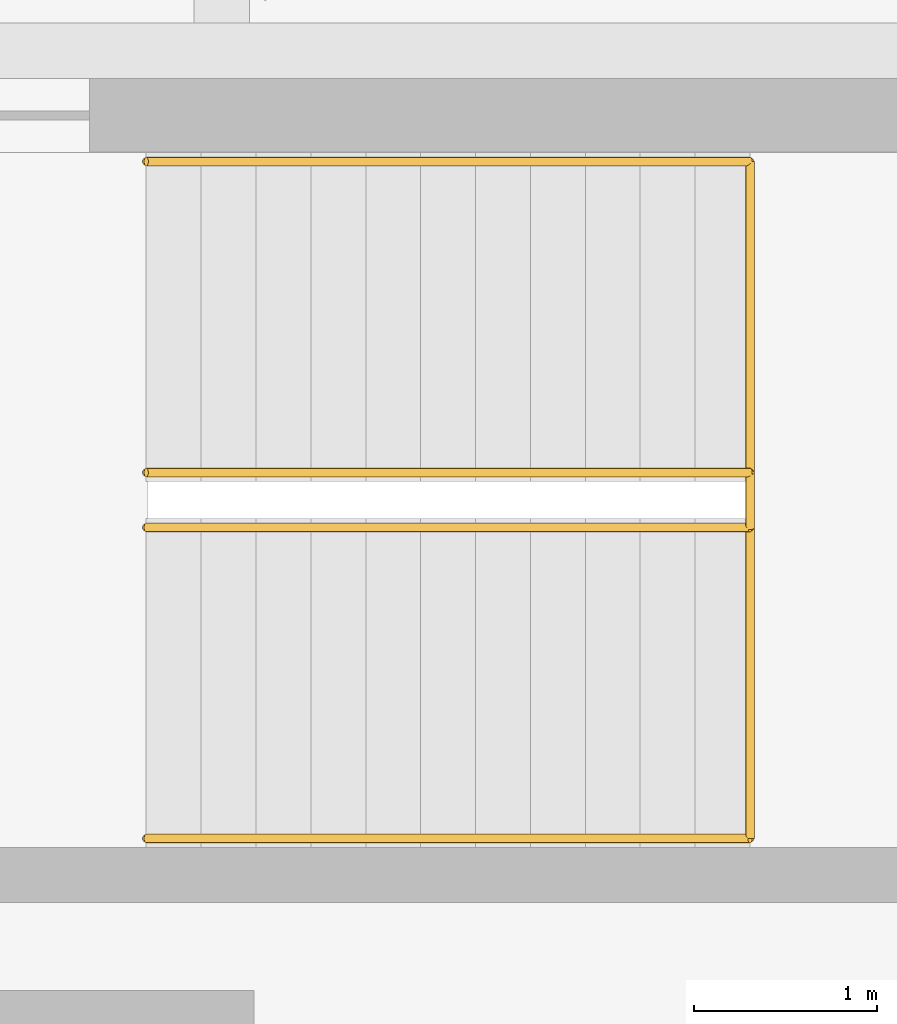
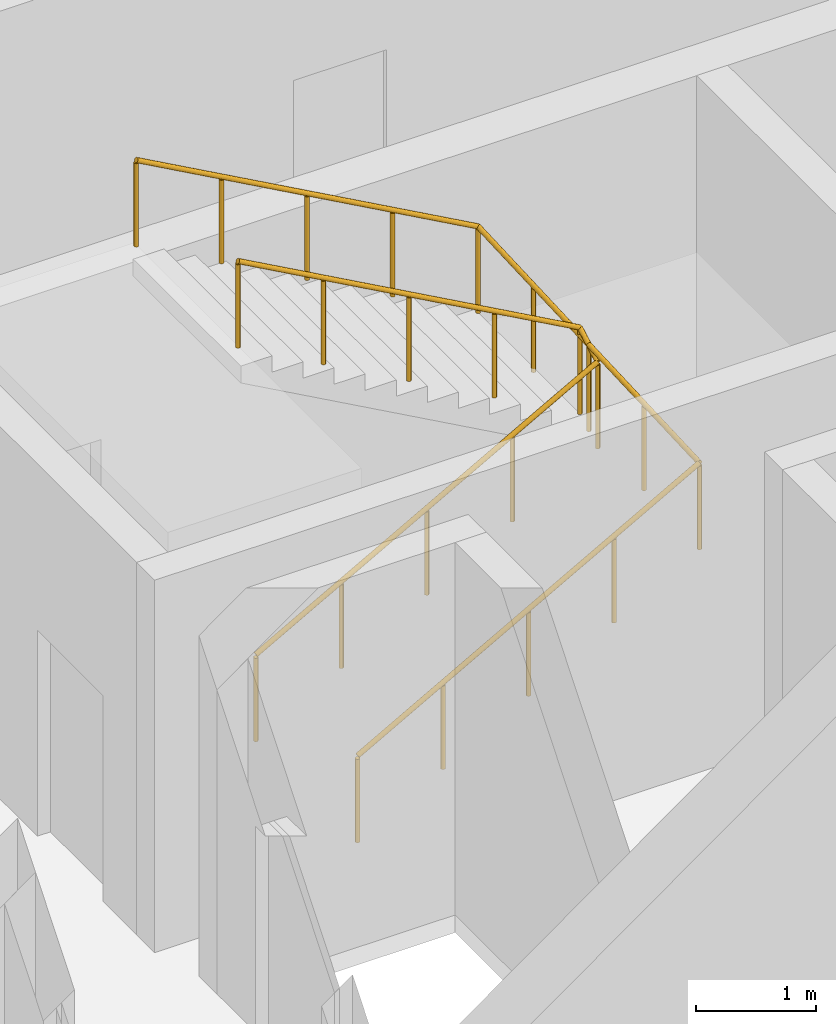
# One storey, part 15 of 16: 2 railings.
"""IFC4 building model written with IfcOpenShell, lengths in metres."""

from ifc_helpers import new_model, si_unit, direction, frame, origin, origin_2d, place, context, subcontext, project, spatial, circle, extrude, source, transform, mapped, material, type_object, element, save


model = new_model("IFC4")

# Units and contexts
model_context = context("Model", 3, precision=1e-05, world=origin(), true_north=direction((0.0, 1.0)))
body_context = subcontext(model_context, "Body", "Model", "MODEL_VIEW")
ifc_project = project(units=[si_unit("LENGTHUNIT", "METRE"), si_unit("AREAUNIT", "SQUARE_METRE"), si_unit("VOLUMEUNIT", "CUBIC_METRE"), si_unit("PLANEANGLEUNIT", "RADIAN"), si_unit("MASSUNIT", "GRAM", prefix="KILO")], contexts=[model_context])

# Site, building, storey
site_placement = place(None, origin())
site = spatial("IfcSite", under=ifc_project, at=site_placement, CompositionType="ELEMENT")
building_placement = place(site_placement, origin())
building = spatial("IfcBuilding", under=site, at=building_placement, Name="Triune Harvest Tower", CompositionType="ELEMENT")
storey_placement = place(building_placement, frame((0.0, 0.0, 292.699951171875)))
storey = spatial("IfcBuildingStorey", under=building, at=storey_placement, Name="L77", CompositionType="ELEMENT", Elevation=292.699951171875)

# Railings
ifc_material = material(Name="Stainless steel AISI 316", Category="steel")
railing_type = type_object("IfcRailingType", Name="Stair handrail", PredefinedType="HANDRAIL", material=ifc_material)
shared_shape_1 = source(origin(), body_context, "Body", "SweptSolid", [
    extrude(circle(Radius=0.02392578125, at=origin_2d()), frame((0.0, 0.0, 0.8759765625), z_axis=(0.874169478083, 0.0, 0.485620966999), x_axis=(0.0, 1.0, 0.0)), (0.0, 0.0, 1.0), 3.775146484375),
    extrude(circle(Radius=0.02392578125, at=origin_2d()), frame((3.300048828125, 0.0, 2.708984375), z_axis=(0.0, 0.998985998549, 0.045021935797), x_axis=(-1.0, 0.0, 0.0)), (0.0, 0.0, 1.0), 3.70361328125),
    extrude(circle(Radius=0.02392578125, at=origin_2d()), frame((3.300048828125, 3.699951171875, 2.8759765625), z_axis=(-0.874169478083, 0.0, 0.485620966999), x_axis=(0.0, -1.0, 0.0)), (0.0, 0.0, 1.0), 3.775146484375),
    extrude(circle(Radius=0.02099609375, at=origin_2d()), origin(), (0.0, 0.0, 1.0), 0.851806640625),
    extrude(circle(Radius=0.02099609375, at=origin_2d()), frame((0.824951171875, 0.0, 0.458251953125)), (0.0, 0.0, 1.0), 0.851806640625),
    extrude(circle(Radius=0.02099609375, at=origin_2d()), frame((1.64990234375, 0.0, 0.91650390625)), (0.0, 0.0, 1.0), 0.851806640625),
    extrude(circle(Radius=0.02099609375, at=origin_2d()), frame((2.47509765625, 0.0, 1.375)), (0.0, 0.0, 1.0), 0.851806640625),
    extrude(circle(Radius=0.02099609375, at=origin_2d()), frame((3.300048828125, 0.0, 1.833251953125)), (0.0, 0.0, 1.0), 0.851806640625),
    extrude(circle(Radius=0.02099609375, at=origin_2d()), frame((3.300048828125, 0.925048828125, 1.875)), (0.0, 0.0, 1.0), 0.851806640625),
    extrude(circle(Radius=0.02099609375, at=origin_2d()), frame((3.300048828125, 1.85009765625, 1.91650390625)), (0.0, 0.0, 1.0), 0.851806640625),
    extrude(circle(Radius=0.02099609375, at=origin_2d()), frame((3.300048828125, 2.77490234375, 1.958251953125)), (0.0, 0.0, 1.0), 0.851806640625),
    extrude(circle(Radius=0.02099609375, at=origin_2d()), frame((3.300048828125, 3.699951171875, 2.0)), (0.0, 0.0, 1.0), 0.851806640625),
    extrude(circle(Radius=0.02099609375, at=origin_2d()), frame((2.47509765625, 3.699951171875, 2.458251953125)), (0.0, 0.0, 1.0), 0.851806640625),
    extrude(circle(Radius=0.02099609375, at=origin_2d()), frame((1.64990234375, 3.699951171875, 2.91650390625)), (0.0, 0.0, 1.0), 0.851806640625),
    extrude(circle(Radius=0.02099609375, at=origin_2d()), frame((0.824951171875, 3.699951171875, 3.375)), (0.0, 0.0, 1.0), 0.851806640625),
    extrude(circle(Radius=0.02099609375, at=origin_2d()), frame((0.0, 3.699951171875, 3.833251953125)), (0.0, 0.0, 1.0), 0.851806640625),
])
railing_1_placement = place(storey_placement, frame((-1.7900390625, 6.239990234375, 0.166748046875)))
element("IfcRailing", 1, at=railing_1_placement, inside=storey, type_object=railing_type, Name="Exit stair north wall handrail", PredefinedType="HANDRAIL", context=body_context, shape_type="MappedRepresentation", body=[
    mapped(shared_shape_1, transform((0.0, 0.0, 0.0), scale=1.0)),
])
shared_shape_2 = source(origin(), body_context, "Body", "SweptSolid", [
    extrude(circle(Radius=0.02392578125, at=origin_2d()), frame((0.0, 0.0, 0.8759765625), z_axis=(0.874169478083, 0.0, 0.485620966999), x_axis=(0.0, 1.0, 0.0)), (0.0, 0.0, 1.0), 3.775146484375),
    extrude(circle(Radius=0.02392578125, at=origin_2d()), frame((3.300048828125, 0.0, 2.708984375), z_axis=(0.0, 0.874090171491, 0.485763699861), x_axis=(-1.0, 0.0, 0.0)), (0.0, 0.0, 1.0), 0.34326171875),
    extrude(circle(Radius=0.02392578125, at=origin_2d()), frame((3.300048828125, 0.300048828125, 2.8759765625), z_axis=(-0.874169478083, 0.0, 0.485620966999), x_axis=(0.0, -1.0, 0.0)), (0.0, 0.0, 1.0), 3.775146484375),
    extrude(circle(Radius=0.02099609375, at=origin_2d()), origin(), (0.0, 0.0, 1.0), 0.851806640625),
    extrude(circle(Radius=0.02099609375, at=origin_2d()), frame((0.824951171875, 0.0, 0.458251953125)), (0.0, 0.0, 1.0), 0.851806640625),
    extrude(circle(Radius=0.02099609375, at=origin_2d()), frame((1.64990234375, 0.0, 0.91650390625)), (0.0, 0.0, 1.0), 0.851806640625),
    extrude(circle(Radius=0.02099609375, at=origin_2d()), frame((2.47509765625, 0.0, 1.375)), (0.0, 0.0, 1.0), 0.851806640625),
    extrude(circle(Radius=0.02099609375, at=origin_2d()), frame((3.300048828125, 0.0, 1.833251953125)), (0.0, 0.0, 1.0), 0.851806640625),
    extrude(circle(Radius=0.02099609375, at=origin_2d()), frame((3.300048828125, 0.300048828125, 2.0)), (0.0, 0.0, 1.0), 0.851806640625),
    extrude(circle(Radius=0.02099609375, at=origin_2d()), frame((2.47509765625, 0.300048828125, 2.458251953125)), (0.0, 0.0, 1.0), 0.851806640625),
    extrude(circle(Radius=0.02099609375, at=origin_2d()), frame((1.64990234375, 0.300048828125, 2.91650390625)), (0.0, 0.0, 1.0), 0.851806640625),
    extrude(circle(Radius=0.02099609375, at=origin_2d()), frame((0.824951171875, 0.300048828125, 3.375)), (0.0, 0.0, 1.0), 0.851806640625),
    extrude(circle(Radius=0.02099609375, at=origin_2d()), frame((0.0, 0.300048828125, 3.833251953125)), (0.0, 0.0, 1.0), 0.851806640625),
])
railing_2_placement = place(storey_placement, frame((-1.7900390625, 7.93994140625, 0.166748046875)))
element("IfcRailing", 2, at=railing_2_placement, inside=storey, type_object=railing_type, Name="Exit stair north centre handrail", PredefinedType="HANDRAIL", context=body_context, shape_type="MappedRepresentation", body=[
    mapped(shared_shape_2, transform((0.0, 0.0, 0.0), scale=1.0)),
])

save(model, "model.ifc")
